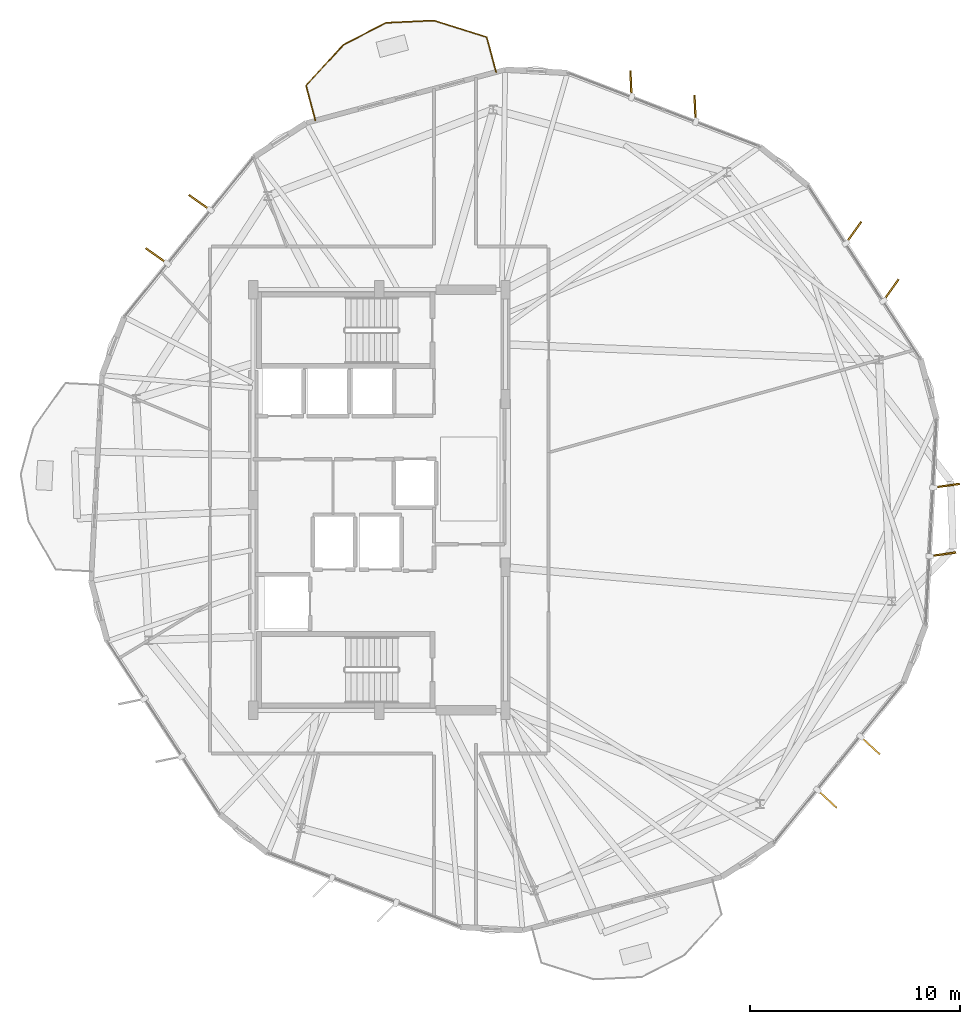
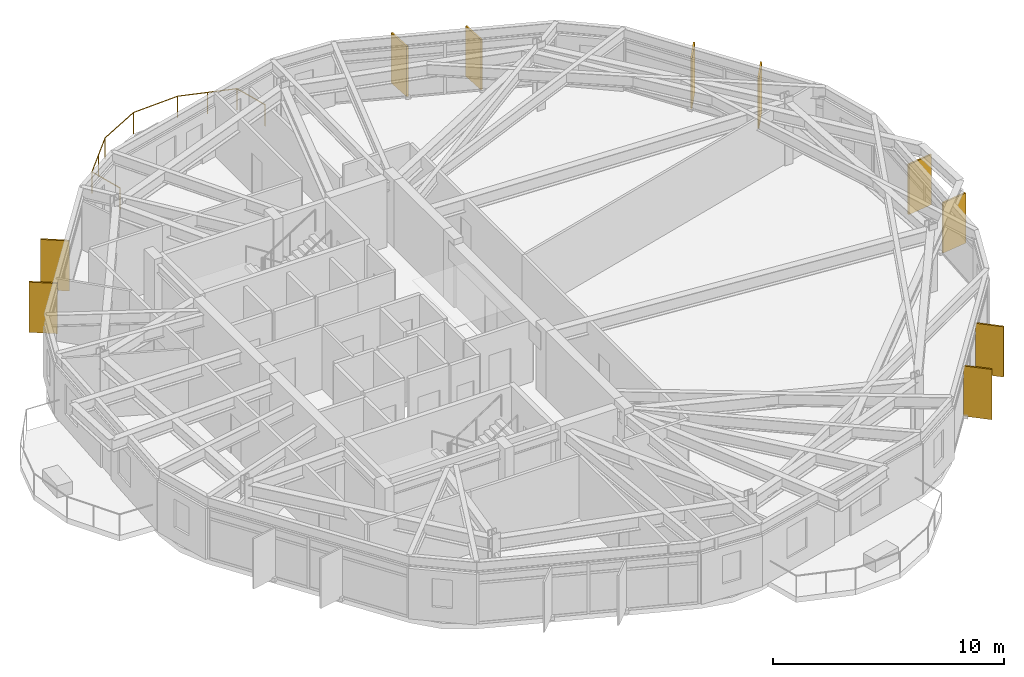
# One storey, part 29 of 29: 10 shading devices, 1 railing.
"""IFC4 building model written with IfcOpenShell, lengths in metres."""

import ifcopenshell
import ifcopenshell.guid

model = None  # the IFC model being written
_history = None  # IfcOwnerHistory: only IFC2X3 demands one
_inside = {}  # id of a spatial element -> (the spatial element, [elements in it])
_under = {}  # id of a project, library or spatial element -> (it, [spatial elements below it])
_declared = {}  # id of a project -> (the project, [libraries it declares])
_typed = {}  # id of a type object -> (the type object, [elements of that type])
_made_of = {}  # id of a material, layer set ... -> (it, [elements and type objects made of it])


def new_model(schema):
    """Start an empty IFC model of exactly this schema.

    Asked for "IFC4X3", IfcOpenShell would pick the latest addendum, in which some entities
    have other attributes; the version numbers below select the first issue.
    IFC2X3 requires an IfcOwnerHistory on every rooted entity: one is made here for all.
    """
    global model, _history
    if schema == "IFC4X3":
        model = ifcopenshell.file(schema_version=(4, 3, 0, 0))
    else:
        model = ifcopenshell.file(schema=schema)
    _inside.clear()
    _under.clear()
    _declared.clear()
    _typed.clear()
    _made_of.clear()
    _history = None
    if model.schema == "IFC2X3":
        org = make("IfcOrganization", Name="unknown")
        user = make(
            "IfcPersonAndOrganization",
            ThePerson=make("IfcPerson", FamilyName="unknown"),
            TheOrganization=org,
        )
        app = make(
            "IfcApplication",
            ApplicationDeveloper=org,
            Version="unknown",
            ApplicationFullName="unknown",
            ApplicationIdentifier="unknown",
        )
        _history = make(
            "IfcOwnerHistory",
            OwningUser=user,
            OwningApplication=app,
            ChangeAction="ADDED",
            CreationDate=0,
        )
    return model


def make(cls, **values):
    """One entity of the class cls with the attributes given. An attribute that is None is left unset."""
    return model.create_entity(
        cls, **{name: value for name, value in values.items() if value is not None}
    )


def rooted(cls, **values):
    """An entity with a GlobalId (a new one), such as an element, a storey or a relation."""
    return make(cls, GlobalId=ifcopenshell.guid.new(), OwnerHistory=_history, **values)


def si_unit(unit_type, name, prefix=None):
    """IfcSIUnit, for example si_unit("LENGTHUNIT", "METRE", prefix="MILLI")."""
    return make("IfcSIUnit", UnitType=unit_type, Prefix=prefix, Name=name)


def assignment(units):
    """IfcUnitAssignment: the units of a project."""
    return None if units is None else make("IfcUnitAssignment", Units=units)


def point(xyz):
    """IfcCartesianPoint."""
    return None if xyz is None else make("IfcCartesianPoint", Coordinates=xyz)


def direction(xyz):
    """IfcDirection."""
    return None if xyz is None else make("IfcDirection", DirectionRatios=xyz)


def frame(location, z_axis=None, x_axis=None):
    """IfcAxis2Placement3D, a coordinate frame: its origin and axes. An axis left out is left unset."""
    return make(
        "IfcAxis2Placement3D",
        Location=point(location),
        Axis=direction(z_axis),
        RefDirection=direction(x_axis),
    )


def frame_2d(location, x_axis=None):
    """IfcAxis2Placement2D, a coordinate frame in the plane: its origin and x axis."""
    return make(
        "IfcAxis2Placement2D", Location=point(location), RefDirection=direction(x_axis)
    )


def origin():
    """The frame at (0, 0, 0) with its axes left unset."""
    return frame((0.0, 0.0, 0.0))


def origin_2d():
    """The frame at (0, 0) in the plane with its x axis left unset."""
    return frame_2d((0.0, 0.0))


def place(relative_to, where):
    """IfcLocalPlacement: puts the frame where relative to a parent placement (None: the world)."""
    return make(
        "IfcLocalPlacement", PlacementRelTo=relative_to, RelativePlacement=where
    )


def context(
    kind, dimensions, precision=None, world=None, true_north=None, identifier=None
):
    """IfcGeometricRepresentationContext, for example the 3D "Model" context."""
    return make(
        "IfcGeometricRepresentationContext",
        ContextIdentifier=identifier,
        ContextType=kind,
        CoordinateSpaceDimension=dimensions,
        Precision=precision,
        WorldCoordinateSystem=world,
        TrueNorth=true_north,
    )


def subcontext(parent, identifier, kind, view, scale=None):
    """IfcGeometricRepresentationSubContext, for example "Body" below "Model"."""
    return make(
        "IfcGeometricRepresentationSubContext",
        ContextIdentifier=identifier,
        ContextType=kind,
        ParentContext=parent,
        TargetScale=scale,
        TargetView=view,
    )


def project(units=None, contexts=None):
    """IfcProject with its units and contexts."""
    return rooted(
        "IfcProject",
        Name="project",
        RepresentationContexts=contexts,
        UnitsInContext=assignment(units),
    )


def spatial(cls, under=None, at=None, **own):
    """A site, building, storey or space (cls), placed at a placement, below another one or the project."""
    s = rooted(cls, ObjectPlacement=at, **own)
    if under is not None:
        _under.setdefault(under.id(), (under, []))[1].append(s)
    return s


def profile(cls, at=None, kind="AREA", **sizes):
    """A parametric profile (cls). Its sizes go by their IFC names, for example OverallWidth=200.0."""
    return make(cls, ProfileType=kind, Position=at, **sizes)


def rectangle(**sizes):
    """IfcRectangleProfileDef."""
    return profile("IfcRectangleProfileDef", **sizes)


def circle(**sizes):
    """IfcCircleProfileDef."""
    return profile("IfcCircleProfileDef", **sizes)


def extrude(swept, where, along, depth):
    """IfcExtrudedAreaSolid: the profile swept, set in the frame where, extruded along a direction by depth."""
    return make(
        "IfcExtrudedAreaSolid",
        SweptArea=swept,
        Position=where,
        ExtrudedDirection=direction(along),
        Depth=depth,
    )


def shape(context_of_items, identifier, shape_type, items):
    """IfcShapeRepresentation: the items that make up one representation, for example the "Body"."""
    return make(
        "IfcShapeRepresentation",
        ContextOfItems=context_of_items,
        RepresentationIdentifier=identifier,
        RepresentationType=shape_type,
        Items=items,
    )


def material(Name=None, Category=None):
    """IfcMaterial."""
    return make("IfcMaterial", Name=Name, Category=Category)


def layer(
    of_material, thickness, ventilated=None, Name=None, Category=None, Priority=None
):
    """IfcMaterialLayer: one layer of a wall or slab, of a material (None: an air gap)."""
    return make(
        "IfcMaterialLayer",
        Material=of_material,
        LayerThickness=thickness,
        IsVentilated=ventilated,
        Name=Name,
        Category=Category,
        Priority=Priority,
    )


def layer_set(layers, Name=None):
    """IfcMaterialLayerSet."""
    return make("IfcMaterialLayerSet", MaterialLayers=layers, LayerSetName=Name)


def made_of(thing, what):
    """Note that an element or type object is made of a material, layer set ...; save() writes the relation."""
    if what is not None:
        _made_of.setdefault(what.id(), (what, []))[1].append(thing)
    return thing


def type_object(cls, material=None, **own):
    """A type object (cls), such as IfcWallType, which elements share."""
    return made_of(rooted(cls, **own), material)


def element(
    cls,
    number,
    at=None,
    inside=None,
    cuts=None,
    type_object=None,
    material=None,
    context=None,
    identifier="Body",
    shape_type=None,
    held_by="IfcProductDefinitionShape",
    body=None,
    shapes=None,
    **own,
):
    """One element of the class cls, such as IfcWall. Its Tag is "e" and its number.

    at: its placement. inside: the storey or other place that contains it. cuts: it is an
    opening in that element (IfcRelVoidsElement). A single representation is given by context,
    identifier, shape_type and body (its items); several are given by shapes. held_by: the class
    of the entity that holds the representations. save() writes the other relations.
    """
    e = rooted(cls, Tag="e%d" % number, ObjectPlacement=at, **own)
    if body is not None:
        shapes = [shape(context, identifier, shape_type, body)]
    if shapes is not None:
        e.Representation = make(held_by, Representations=shapes)
    if inside is not None:
        _inside.setdefault(inside.id(), (inside, []))[1].append(e)
    if cuts is not None:
        rooted(
            "IfcRelVoidsElement", RelatingBuildingElement=cuts, RelatedOpeningElement=e
        )
    if type_object is not None:
        _typed.setdefault(type_object.id(), (type_object, []))[1].append(e)
    return made_of(e, material)


def aggregate(whole, parts):
    """IfcRelAggregates: a whole, such as a stair, and the parts it consists of."""
    return rooted("IfcRelAggregates", RelatingObject=whole, RelatedObjects=parts)


def save(model, path):
    """Write the relations noted so far, then the file.

    IfcRelAggregates (storeys below a building ...), IfcRelContainedInSpatialStructure (elements
    in a storey), IfcRelDefinesByType, IfcRelAssociatesMaterial and IfcRelDeclares: one each for
    every whole, place, type object, material and project.
    """
    for whole, parts in _under.values():
        aggregate(whole, parts)
    for where, things in _inside.values():
        rooted(
            "IfcRelContainedInSpatialStructure",
            RelatedElements=things,
            RelatingStructure=where,
        )
    for kind, things in _typed.values():
        rooted("IfcRelDefinesByType", RelatedObjects=things, RelatingType=kind)
    for what, things in _made_of.values():
        rooted("IfcRelAssociatesMaterial", RelatedObjects=things, RelatingMaterial=what)
    for by, libraries in _declared.values():
        rooted("IfcRelDeclares", RelatingContext=by, RelatedDefinitions=libraries)
    model.write(path)


model = new_model("IFC4")

# Units and contexts
model_context = context("Model", 3, precision=1e-05, world=origin(), true_north=direction((0.0, 1.0)))
body_context = subcontext(model_context, "Body", "Model", "MODEL_VIEW")
ifc_project = project(units=[si_unit("LENGTHUNIT", "METRE"), si_unit("AREAUNIT", "SQUARE_METRE"), si_unit("VOLUMEUNIT", "CUBIC_METRE"), si_unit("PLANEANGLEUNIT", "RADIAN"), si_unit("MASSUNIT", "GRAM", prefix="KILO")], contexts=[model_context])

# Site, building, storey
site_placement = place(None, origin())
site = spatial("IfcSite", under=ifc_project, at=site_placement, CompositionType="ELEMENT")
building_placement = place(site_placement, origin())
building = spatial("IfcBuilding", under=site, at=building_placement, Name="Soratama Intermodal Tower", CompositionType="ELEMENT")
storey_placement = place(building_placement, frame((0.0, 0.0, 219.39990234375)))
storey = spatial("IfcBuildingStorey", under=building, at=storey_placement, Name="L55", CompositionType="ELEMENT", Elevation=219.39990234375)

# Railing
ifc_material_1 = material(Name="Laminated glass and stainless steel balustrade", Category="steel")
railing_type = type_object("IfcRailingType", Name="RL-BAL-1150", PredefinedType="BALUSTRADE", material=ifc_material_1)
railing_placement = place(storey_placement, frame((35.55810546875, 43.04833984375, 0.0)))
element("IfcRailing", 1, at=railing_placement, inside=storey, type_object=railing_type, Name="L55 Balcony Balustrade 1", PredefinedType="BALUSTRADE", context=body_context, shape_type="SweptSolid", body=[
    extrude(circle(Radius=0.02392578125, at=origin_2d()), frame((0.0, 0.0, 1.1259765625), z_axis=(-0.258766830823, 0.965939815551, 0.0), x_axis=(-0.965939815551, -0.258766830823, 0.0)), (0.0, 0.0, 1.0), 1.719970703125),
    extrude(circle(Radius=0.02392578125, at=origin_2d()), frame((-0.445068359375, 1.661376953125, 1.1259765625), z_axis=(0.676030697358, 0.73687346012, 0.0), x_axis=(-0.73687346012, 0.676030697358, 0.0)), (0.0, 0.0, 1.0), 2.63623046875),
    extrude(circle(Radius=0.02392578125, at=origin_2d()), frame((1.337158203125, 3.60400390625, 1.1259765625), z_axis=(0.888627705859, 0.458629262454, 0.0), x_axis=(-0.458629262454, 0.888627705859, 0.0)), (0.0, 0.0, 1.0), 2.27685546875),
    extrude(circle(Radius=0.02392578125, at=origin_2d()), frame((3.3603515625, 4.648193359375, 1.1259765625), z_axis=(0.998886260479, 0.047183033238, 0.0), x_axis=(-0.047183033238, 0.998886260479, 0.0)), (0.0, 0.0, 1.0), 2.276611328125),
    extrude(circle(Radius=0.02392578125, at=origin_2d()), frame((5.634521484375, 4.755615234375, 1.1259765625), z_axis=(0.953899829161, -0.300125167101, 0.0), x_axis=(0.300125167101, 0.953899829161, 0.0)), (0.0, 0.0, 1.0), 2.636474609375),
    extrude(circle(Radius=0.02392578125, at=origin_2d()), frame((8.1494140625, 3.96435546875, 1.1259765625), z_axis=(0.258766830823, -0.965939815551, 0.0), x_axis=(0.965939815551, 0.258766830823, 0.0)), (0.0, 0.0, 1.0), 1.719970703125),
    extrude(circle(Radius=0.02099609375, at=origin_2d()), origin(), (0.0, 0.0, 1.0), 1.101806640625),
    extrude(circle(Radius=0.02099609375, at=origin_2d()), frame((-0.445068359375, 1.661376953125, 0.0)), (0.0, 0.0, 1.0), 1.101806640625),
    extrude(circle(Radius=0.02099609375, at=origin_2d()), frame((0.446044921875, 2.6328125, 0.0)), (0.0, 0.0, 1.0), 1.101806640625),
    extrude(circle(Radius=0.02099609375, at=origin_2d()), frame((1.337158203125, 3.60400390625, 0.0)), (0.0, 0.0, 1.0), 1.101806640625),
    extrude(circle(Radius=0.02099609375, at=origin_2d()), frame((3.3603515625, 4.648193359375, 0.0)), (0.0, 0.0, 1.0), 1.101806640625),
    extrude(circle(Radius=0.02099609375, at=origin_2d()), frame((5.634521484375, 4.755615234375, 0.0)), (0.0, 0.0, 1.0), 1.101806640625),
    extrude(circle(Radius=0.02099609375, at=origin_2d()), frame((6.89208984375, 4.35986328125, 0.0)), (0.0, 0.0, 1.0), 1.101806640625),
    extrude(circle(Radius=0.02099609375, at=origin_2d()), frame((8.1494140625, 3.96435546875, 0.0)), (0.0, 0.0, 1.0), 1.101806640625),
    extrude(circle(Radius=0.02099609375, at=origin_2d()), frame((8.594482421875, 2.302978515625, 0.0)), (0.0, 0.0, 1.0), 1.101806640625),
])

# Shading devices
ifc_material_2 = material(Name="Champagne anodised aluminium solar fin", Category="aluminium")
ifc_layer = layer(ifc_material_2, 0.080078125)
ifc_layer_set = layer_set([ifc_layer], Name="Champagne anodised aluminium solar fin")
shading_device_type = type_object("IfcShadingDeviceType", Name="SH-FIN-1250", PredefinedType="USERDEFINED", material=ifc_layer_set)
for number, where, z_axis, x_axis, name in (
    (2, (53.6171875, 43.615966796875, 0.02001953125), (0.0, 0.0, 1.0), (-0.047280789163, 0.998881638121, 0.0), "L55 Solar Fin F01-1"),
    (3, (50.568359375, 44.786376953125, 0.02001953125), (0.0, 0.0, 1.0), (-0.047280789163, 0.998881638121, 0.0), "L55 Solar Fin F01-2"),
    (4, (30.053466796875, 39.150390625, 0.02001953125), (0.0, 0.0, 1.0), (-0.816742273561, 0.577002650408, 0.0), "L55 Solar Fin F03-1"),
    (5, (27.998291015625, 36.6123046875, 0.02001953125), (0.0, 0.0, 1.0), (-0.816742273561, 0.577002650408, 0.0), "L55 Solar Fin F03-2"),
    (6, (59.893310546875, 10.7841796875, 0.02001953125), (0.0, 0.0, 1.0), (0.734322509436, -0.678800745533, 0.0), "L55 Solar Fin F08-1"),
    (7, (61.94873046875, 13.322265625, 0.02001953125), (0.0, 0.0, 1.0), (0.734322509436, -0.678800745533, 0.0), "L55 Solar Fin F08-2"),
    (8, (65.4033203125, 22.417724609375, 0.02001953125), (0.0, 0.0, 1.0), (0.990509463238, 0.137444546037, 0.0), "L55 Solar Fin F09-1"),
    (9, (65.57421875, 25.67919921875, 0.02001953125), (0.0, 0.0, 1.0), (0.990509463238, 0.137444546037, 0.0), "L55 Solar Fin F09-2"),
    (10, (62.935302734375, 34.980712890625, 0.02001953125), (0.0, 0.0, 1.0), (0.582406760395, 0.812897512265, 0.0), "L55 Solar Fin F10-1"),
    (11, (61.156494140625, 37.719482421875, 0.02001953125), (0.0, 0.0, 1.0), (0.582406760395, 0.812897512265, 0.0), "L55 Solar Fin F10-2"),
):
    element("IfcShadingDevice", number, at=place(storey_placement, frame(where, z_axis=z_axis, x_axis=x_axis)), inside=storey, type_object=shading_device_type, Name=name, ObjectType="FIN", PredefinedType="USERDEFINED", context=body_context, shape_type="SweptSolid", body=[
        extrude(rectangle(XDim=1.25, YDim=0.080078125, at=origin_2d()), origin(), (0.0, 0.0, 1.0), 2.658935546875),
    ])

save(model, "model.ifc")
